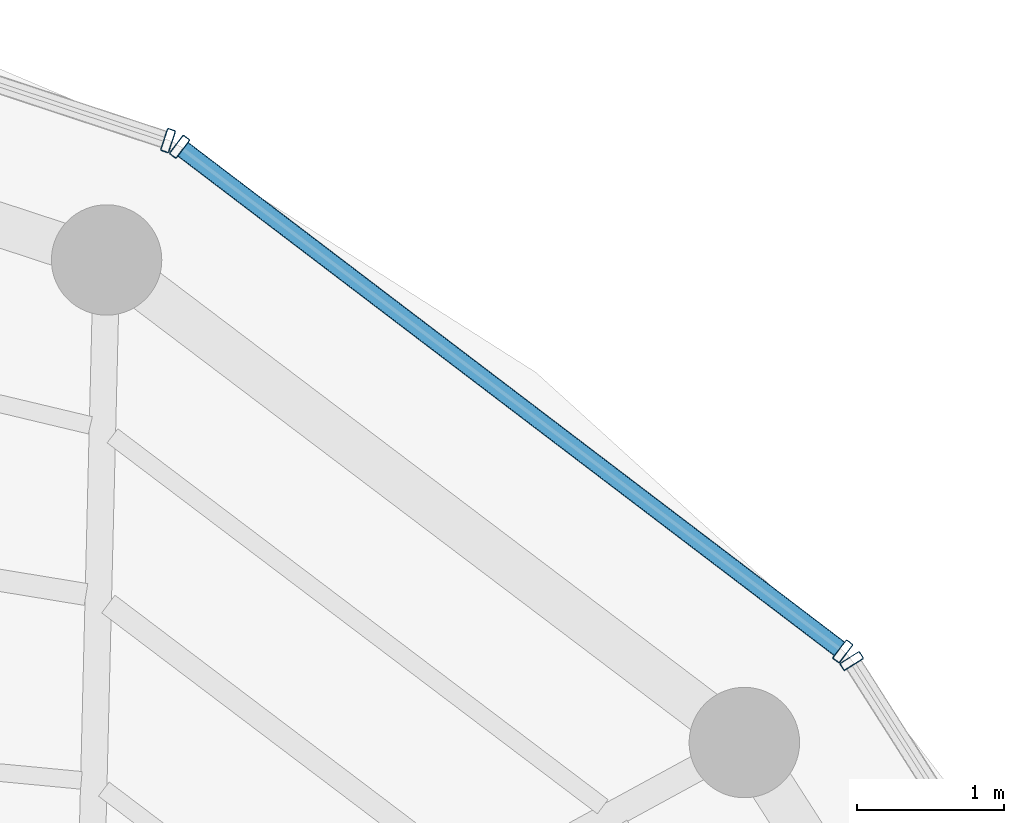
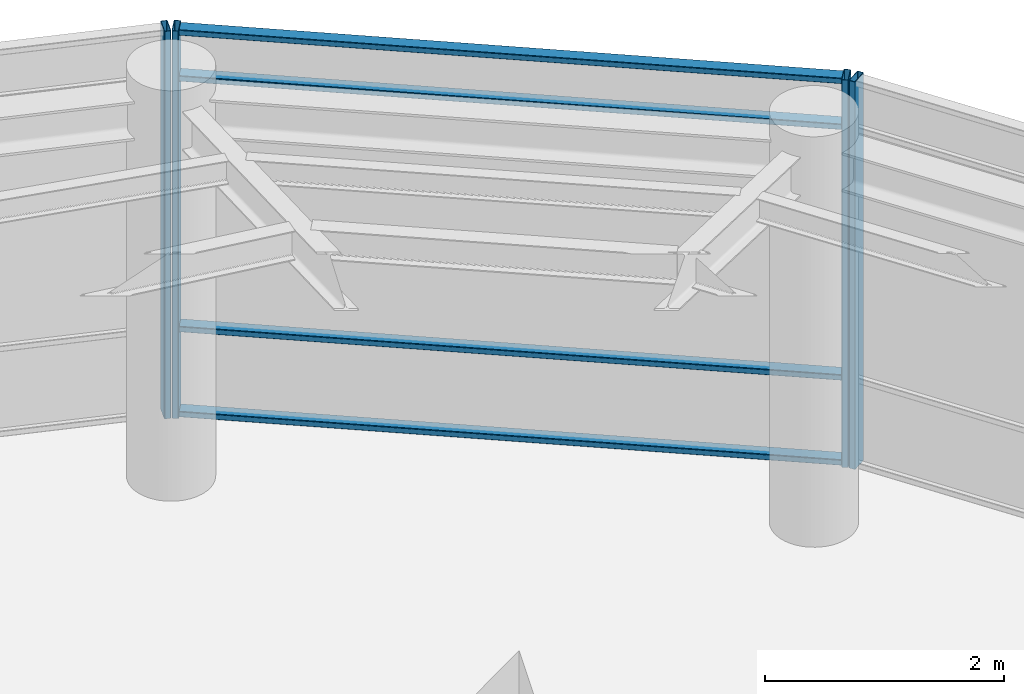
# One storey, part 14 of 19: 8 members, 3 elements without a shape of their own.
"""IFC4 building model written with IfcOpenShell, lengths in metres."""

from ifc_helpers import new_model, si_unit, direction, frame, origin, origin_2d, place, context, subcontext, project, spatial, hollow_rectangle, extrude, material, layer, layer_set, material_profile, profile_set, type_object, element, aggregate, save


model = new_model("IFC4")

# Units and contexts
model_context = context("Model", 3, precision=1e-05, world=origin(), true_north=direction((0.0, 1.0)))
body_context = subcontext(model_context, "Body", "Model", "MODEL_VIEW")
ifc_project = project(units=[si_unit("LENGTHUNIT", "METRE"), si_unit("AREAUNIT", "SQUARE_METRE"), si_unit("VOLUMEUNIT", "CUBIC_METRE"), si_unit("PLANEANGLEUNIT", "RADIAN"), si_unit("MASSUNIT", "GRAM", prefix="KILO")], contexts=[model_context])

# Site, building, storey
site_placement = place(None, origin())
site = spatial("IfcSite", under=ifc_project, at=site_placement, CompositionType="ELEMENT")
building_placement = place(site_placement, origin())
building = spatial("IfcBuilding", under=site, at=building_placement, Name="Kelanora Arch Commons", CompositionType="ELEMENT")
storey_placement = place(building_placement, frame((0.0, 0.0, 306.89990234375)))
storey = spatial("IfcBuildingStorey", under=building, at=storey_placement, Name="L78", CompositionType="ELEMENT", Elevation=306.89990234375)

# Curtain wall, member
ifc_material_1 = material(Name="Terracotta ceramic-fritted low-E glass and aluminium", Category="masonry")
ifc_layer = layer(ifc_material_1, 0.14990234375)
ifc_layer_set = layer_set([ifc_layer], Name="Terracotta ceramic-fritted low-E glass and aluminium")
curtain_wall_type = type_object("IfcCurtainWallType", Name="CW-SYS-06", PredefinedType="NOTDEFINED", material=ifc_layer_set)
curtain_wall_1_placement = place(storey_placement, origin())
curtain_wall_1 = element("IfcCurtainWall", 1, at=curtain_wall_1_placement, inside=storey, type_object=curtain_wall_type, Name="Unitised Curtain Wall L78-B01", PredefinedType="NOTDEFINED")
ifc_material_2 = material(Name="Powder-coated aluminium terracotta", Category="masonry")
ifc_material_profile_1 = material_profile(ifc_material_2, hollow_rectangle(XDim=0.159912109375, YDim=0.06005859375, WallThickness=0.0048828125, InnerFilletRadius=0.0048828125, OuterFilletRadius=0.010009765625, at=origin_2d()), Name="CWM160x60")
ifc_profile_set_1 = profile_set([ifc_material_profile_1], Name="Powder-coated aluminium terracotta")
member_type_1 = type_object("IfcMemberType", Name="CWM-STD", PredefinedType="MULLION", material=ifc_profile_set_1)
member_1_placement = place(storey_placement, frame((87.2001953125, 67.989501953125, 0.0), z_axis=(0.0, 0.0, 1.0), x_axis=(-0.84359225554, -0.536984270154, 0.0)))
member_1 = element("IfcMember", 2, at=member_1_placement, type_object=member_type_1, Name="CW-06 mullion 2", PredefinedType="MULLION", context=body_context, shape_type="SweptSolid", body=[
    extrude(hollow_rectangle(XDim=0.159912109375, YDim=0.06005859375, WallThickness=0.0048828125, InnerFilletRadius=0.0048828125, OuterFilletRadius=0.010009765625, at=origin_2d()), origin(), (0.0, 0.0, 1.0), 3.965087890625),
])
aggregate(curtain_wall_1, [member_1])

# Curtain wall, members
curtain_wall_2_placement = place(storey_placement, origin())
curtain_wall_2 = element("IfcCurtainWall", 3, at=curtain_wall_2_placement, inside=storey, type_object=curtain_wall_type, Name="Unitised Curtain Wall L78-B02", PredefinedType="NOTDEFINED")
member_2_placement = place(storey_placement, frame((87.14013671875, 68.0546875, 0.0), z_axis=(0.0, 0.0, 1.0), x_axis=(-0.605595960801, -0.795772286688, 0.0)))
member_2 = element("IfcMember", 4, at=member_2_placement, type_object=member_type_1, Name="CW-06 mullion 1", PredefinedType="MULLION", context=body_context, shape_type="SweptSolid", body=[
    extrude(hollow_rectangle(XDim=0.159912109375, YDim=0.06005859375, WallThickness=0.0048828125, InnerFilletRadius=0.0048828125, OuterFilletRadius=0.010009765625, at=origin_2d()), origin(), (0.0, 0.0, 1.0), 3.965087890625),
])
member_3_placement = place(storey_placement, frame((82.6357421875, 71.482666015625, 0.0), z_axis=(0.0, 0.0, 1.0), x_axis=(-0.605595960801, -0.795772286688, 0.0)))
member_3 = element("IfcMember", 5, at=member_3_placement, type_object=member_type_1, Name="CW-06 mullion 2", PredefinedType="MULLION", context=body_context, shape_type="SweptSolid", body=[
    extrude(hollow_rectangle(XDim=0.159912109375, YDim=0.06005859375, WallThickness=0.0048828125, InnerFilletRadius=0.0048828125, OuterFilletRadius=0.010009765625, at=origin_2d()), origin(), (0.0, 0.0, 1.0), 3.965087890625),
])

# Curtain wall, member
curtain_wall_3_placement = place(storey_placement, origin())
curtain_wall_3 = element("IfcCurtainWall", 6, at=curtain_wall_3_placement, inside=storey, type_object=curtain_wall_type, Name="Unitised Curtain Wall L78-B03", PredefinedType="NOTDEFINED")
member_4_placement = place(storey_placement, frame((82.557373046875, 71.524169921875, 0.0), z_axis=(0.0, 0.0, 1.0), x_axis=(-0.313466845323, -0.949599145368, 0.0)))
member_4 = element("IfcMember", 7, at=member_4_placement, type_object=member_type_1, Name="CW-06 mullion 1", PredefinedType="MULLION", context=body_context, shape_type="SweptSolid", body=[
    extrude(hollow_rectangle(XDim=0.159912109375, YDim=0.06005859375, WallThickness=0.0048828125, InnerFilletRadius=0.0048828125, OuterFilletRadius=0.010009765625, at=origin_2d()), origin(), (0.0, 0.0, 1.0), 3.965087890625),
])
aggregate(curtain_wall_3, [member_4])

# Member
ifc_material_profile_2 = material_profile(ifc_material_2, hollow_rectangle(XDim=0.1201171875, YDim=0.06005859375, WallThickness=0.0048828125, InnerFilletRadius=0.0048828125, OuterFilletRadius=0.010009765625, at=origin_2d()), Name="CWT120x60")
ifc_profile_set_2 = profile_set([ifc_material_profile_2], Name="Powder-coated aluminium terracotta")
member_type_2 = type_object("IfcMemberType", Name="CWT-STD", PredefinedType="USERDEFINED", material=ifc_profile_set_2)
member_5_placement = place(storey_placement, frame((87.116455078125, 68.072998046875, 0.030029296875), z_axis=(-0.79577982782, 0.605586051387, 0.0), x_axis=(-0.605586051387, -0.79577982782, 0.0)))
member_5 = element("IfcMember", 8, at=member_5_placement, type_object=member_type_2, Name="CW-06 transom 1.1", ObjectType="TRANSOM", PredefinedType="USERDEFINED", context=body_context, shape_type="SweptSolid", body=[
    extrude(hollow_rectangle(XDim=0.1201171875, YDim=0.06005859375, WallThickness=0.0048828125, InnerFilletRadius=0.0048828125, OuterFilletRadius=0.010009765625, at=origin_2d()), origin(), (0.0, 0.0, 1.0), 5.6005859375),
])

member_6_placement = place(storey_placement, frame((87.116455078125, 68.072998046875, 0.900146484375), z_axis=(-0.79577982782, 0.605586051387, 0.0), x_axis=(-0.605586051387, -0.79577982782, 0.0)))
member_6 = element("IfcMember", 9, at=member_6_placement, type_object=member_type_2, Name="CW-06 transom 1.2", ObjectType="TRANSOM", PredefinedType="USERDEFINED", context=body_context, shape_type="SweptSolid", body=[
    extrude(hollow_rectangle(XDim=0.1201171875, YDim=0.06005859375, WallThickness=0.0048828125, InnerFilletRadius=0.0048828125, OuterFilletRadius=0.010009765625, at=origin_2d()), origin(), (0.0, 0.0, 1.0), 5.6005859375),
])

member_7_placement = place(storey_placement, frame((87.116455078125, 68.072998046875, 3.465087890625), z_axis=(-0.79577982782, 0.605586051387, 0.0), x_axis=(-0.605586051387, -0.79577982782, 0.0)))
member_7 = element("IfcMember", 10, at=member_7_placement, type_object=member_type_2, Name="CW-06 transom 1.3", ObjectType="TRANSOM", PredefinedType="USERDEFINED", context=body_context, shape_type="SweptSolid", body=[
    extrude(hollow_rectangle(XDim=0.1201171875, YDim=0.06005859375, WallThickness=0.0048828125, InnerFilletRadius=0.0048828125, OuterFilletRadius=0.010009765625, at=origin_2d()), origin(), (0.0, 0.0, 1.0), 5.6005859375),
])

member_8_placement = place(storey_placement, frame((87.116455078125, 68.072998046875, 3.93505859375), z_axis=(-0.79577982782, 0.605586051387, 0.0), x_axis=(-0.605586051387, -0.79577982782, 0.0)))
member_8 = element("IfcMember", 11, at=member_8_placement, type_object=member_type_2, Name="CW-06 transom 1.4", ObjectType="TRANSOM", PredefinedType="USERDEFINED", context=body_context, shape_type="SweptSolid", body=[
    extrude(hollow_rectangle(XDim=0.1201171875, YDim=0.06005859375, WallThickness=0.0048828125, InnerFilletRadius=0.0048828125, OuterFilletRadius=0.010009765625, at=origin_2d()), origin(), (0.0, 0.0, 1.0), 5.6005859375),
])

aggregate(curtain_wall_2, [member_2, member_3, member_5, member_6, member_7, member_8])

save(model, "model.ifc")
